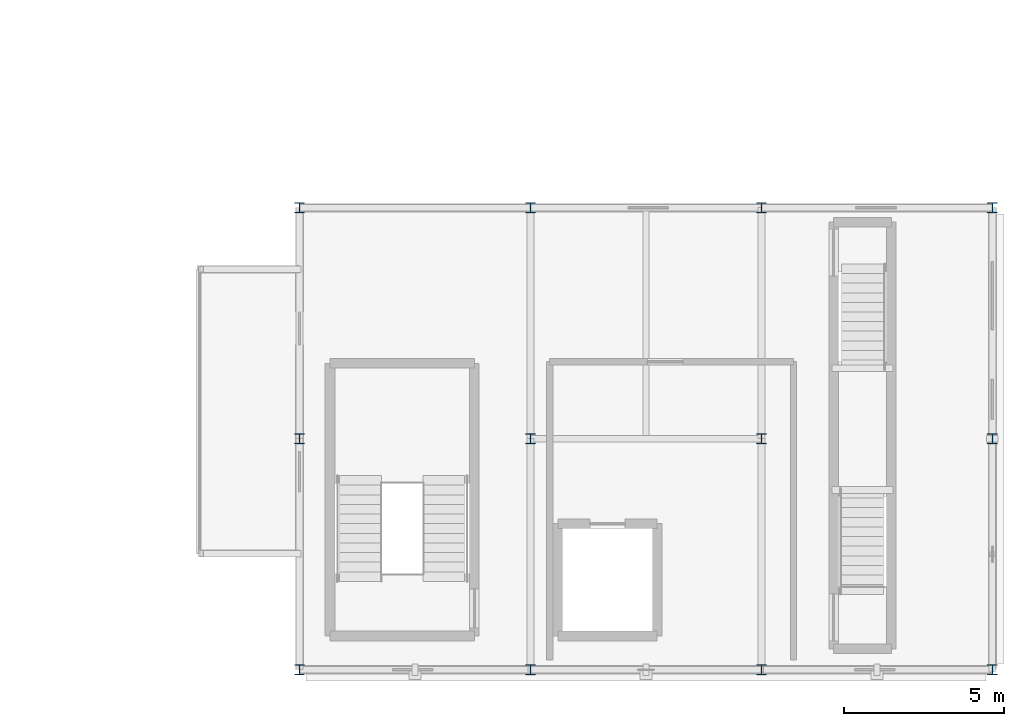
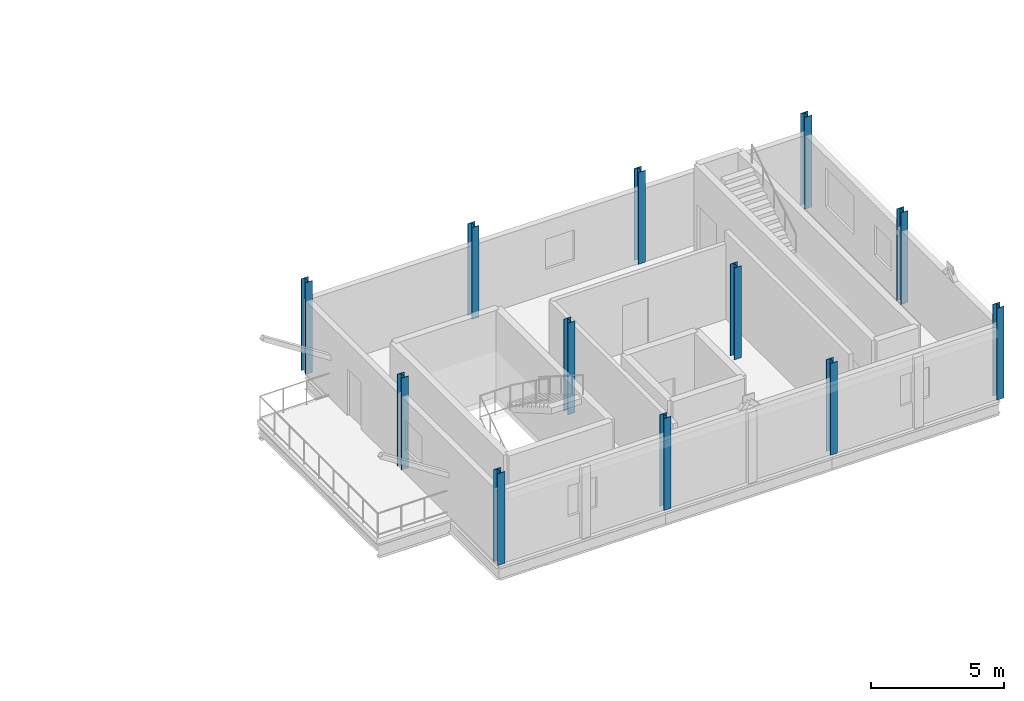
# One storey, part 3 of 47: 12 columns.
"""IFC4 building model written with IfcOpenShell, lengths in metres."""

from ifc_helpers import new_model, si_unit, direction, frame, origin, origin_2d, place, context, subcontext, project, spatial, i_section, extrude, material, material_profile, profile_set, type_object, element, save


model = new_model("IFC4")

# Units and contexts
model_context = context("Model", 3, precision=1e-05, world=origin(), true_north=direction((0.0, 1.0)))
body_context = subcontext(model_context, "Body", "Model", "MODEL_VIEW")
ifc_project = project(units=[si_unit("LENGTHUNIT", "METRE"), si_unit("AREAUNIT", "SQUARE_METRE"), si_unit("VOLUMEUNIT", "CUBIC_METRE"), si_unit("PLANEANGLEUNIT", "RADIAN"), si_unit("MASSUNIT", "GRAM", prefix="KILO")], contexts=[model_context])

# Site, building, storey
site_placement = place(None, origin())
site = spatial("IfcSite", under=ifc_project, at=site_placement, CompositionType="ELEMENT")
building_placement = place(site_placement, origin())
building = spatial("IfcBuilding", under=site, at=building_placement, Name="Yarey Park Central Fire Station", CompositionType="ELEMENT")
storey_placement = place(building_placement, frame((0.0, 0.0, 18.0)))
storey = spatial("IfcBuildingStorey", under=building, at=storey_placement, Name="L05", CompositionType="ELEMENT", Elevation=18.0)

# Columns
ifc_material = material(Name="Steel ASTM A992 Gr. 50", Category="steel")
ifc_material_profile_1 = material_profile(ifc_material, i_section(OverallWidth=0.30908203125, OverallDepth=0.322998046875, WebThickness=0.013916015625, FlangeThickness=0.02294921875, at=origin_2d()), Name="W310x143")
ifc_profile_set_1 = profile_set([ifc_material_profile_1], Name="Steel ASTM A992 Gr. 50")
column_type_1 = type_object("IfcColumnType", Name="STR_COL_W310_EXT", PredefinedType="COLUMN", material=ifc_profile_set_1)
for number, where, z_axis, x_axis, name in (
    (1, (144.0, 0.0, 0.0), (0.0, 0.0, 1.0), (1.0, 0.0, 0.0), "COL_L05_X1440_Y0"),
    (2, (144.0, 7.199951171875, 0.0), (0.0, 0.0, 1.0), (1.0, 0.0, 0.0), "COL_L05_X1440_Y72"),
    (3, (144.0, 14.39990234375, 0.0), (0.0, 0.0, 1.0), (1.0, 0.0, 0.0), "COL_L05_X1440_Y144"),
    (4, (151.199951171875, 0.0, 0.0), (0.0, 0.0, 1.0), (1.0, 0.0, 0.0), "COL_L05_X1512_Y0"),
    (5, (151.199951171875, 14.39990234375, 0.0), (0.0, 0.0, 1.0), (1.0, 0.0, 0.0), "COL_L05_X1512_Y144"),
    (6, (158.39990234375, 0.0, 0.0), (0.0, 0.0, 1.0), (1.0, 0.0, 0.0), "COL_L05_X1584_Y0"),
    (7, (158.39990234375, 14.39990234375, 0.0), (0.0, 0.0, 1.0), (1.0, 0.0, 0.0), "COL_L05_X1584_Y144"),
    (8, (165.60009765625, 0.0, 0.0), (0.0, 0.0, 1.0), (1.0, 0.0, 0.0), "COL_L05_X1656_Y0"),
    (9, (165.60009765625, 7.199951171875, 0.0), (0.0, 0.0, 1.0), (1.0, 0.0, 0.0), "COL_L05_X1656_Y72"),
    (10, (165.60009765625, 14.39990234375, 0.0), (0.0, 0.0, 1.0), (1.0, 0.0, 0.0), "COL_L05_X1656_Y144"),
):
    element("IfcColumn", number, at=place(storey_placement, frame(where, z_axis=z_axis, x_axis=x_axis)), inside=storey, type_object=column_type_1, Name=name, PredefinedType="COLUMN", context=body_context, shape_type="SweptSolid", body=[
        extrude(i_section(OverallWidth=0.30908203125, OverallDepth=0.322998046875, WebThickness=0.013916015625, FlangeThickness=0.02294921875, at=origin_2d()), origin(), (0.0, 0.0, 1.0), 4.199951171875),
    ])
ifc_material_profile_2 = material_profile(ifc_material, i_section(OverallWidth=0.30908203125, OverallDepth=0.322998046875, WebThickness=0.013916015625, FlangeThickness=0.02294921875, at=origin_2d()), Name="W310x143")
ifc_profile_set_2 = profile_set([ifc_material_profile_2], Name="Steel ASTM A992 Gr. 50")
column_type_2 = type_object("IfcColumnType", Name="STR_COL_W310_INT", PredefinedType="COLUMN", material=ifc_profile_set_2)
for number, where, z_axis, x_axis, name in (
    (11, (151.199951171875, 7.199951171875, 0.0), (0.0, 0.0, 1.0), (1.0, 0.0, 0.0), "COL_L05_X1512_Y72"),
    (12, (158.39990234375, 7.199951171875, 0.0), (0.0, 0.0, 1.0), (1.0, 0.0, 0.0), "COL_L05_X1584_Y72"),
):
    element("IfcColumn", number, at=place(storey_placement, frame(where, z_axis=z_axis, x_axis=x_axis)), inside=storey, type_object=column_type_2, Name=name, PredefinedType="COLUMN", context=body_context, shape_type="SweptSolid", body=[
        extrude(i_section(OverallWidth=0.30908203125, OverallDepth=0.322998046875, WebThickness=0.013916015625, FlangeThickness=0.02294921875, at=origin_2d()), origin(), (0.0, 0.0, 1.0), 4.199951171875),
    ])

save(model, "model.ifc")
